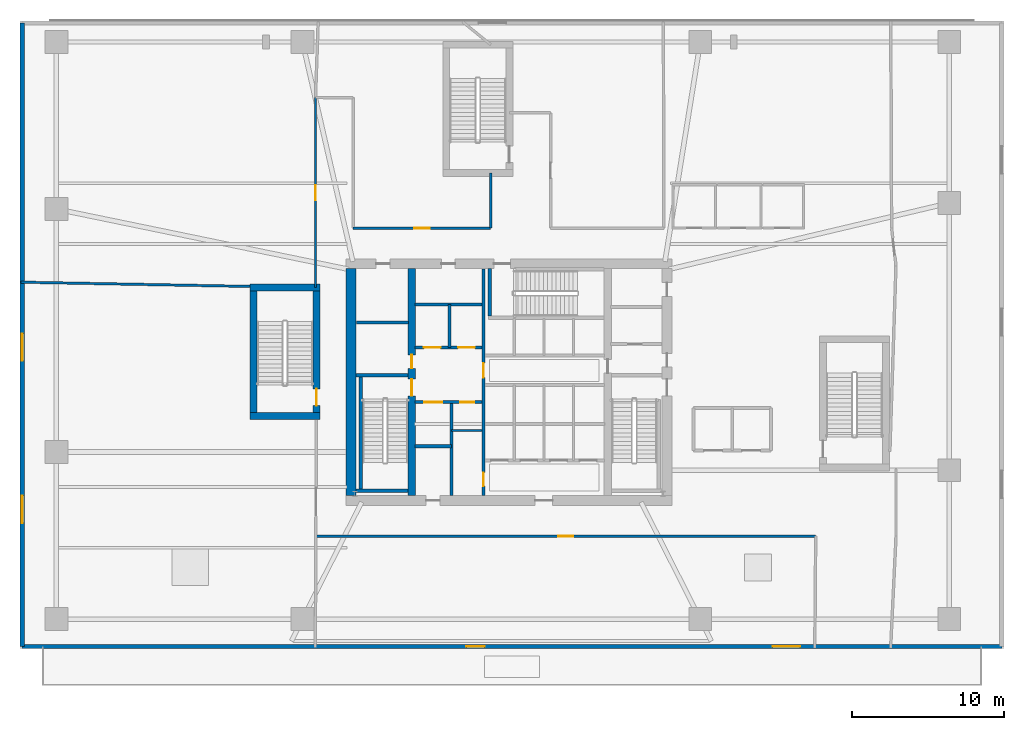
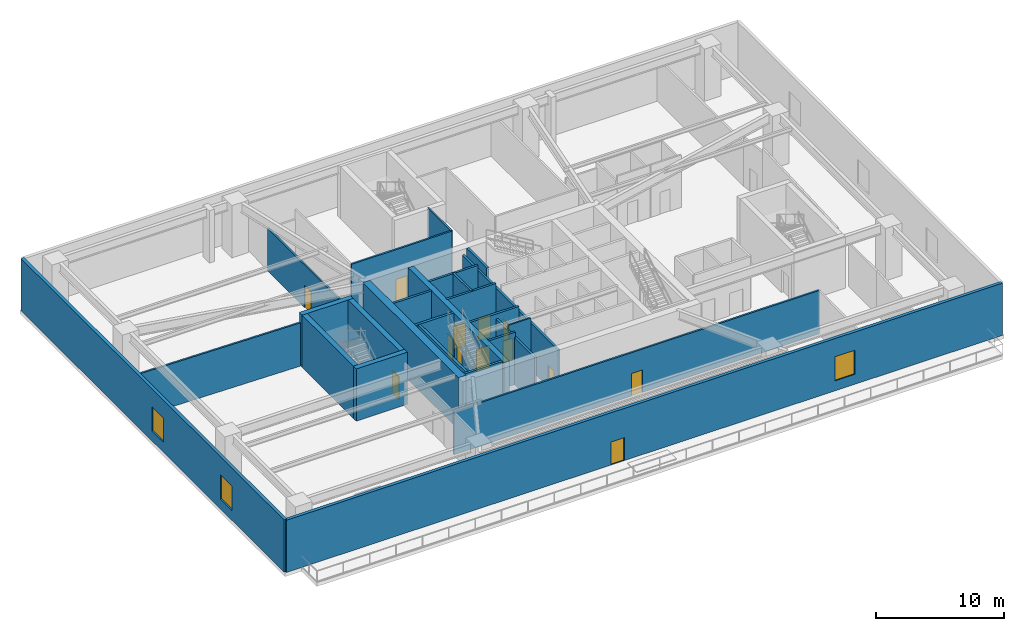
# One storey, part 4 of 11: 26 walls, 13 doors, 3 windows, 16 openings.
"""IFC4 building model written with IfcOpenShell, lengths in metres."""

from ifc_helpers import new_model, si_unit, direction, frame, frame_2d, origin, place, context, subcontext, project, spatial, rectangle, extrude, material, layer, layer_set, type_object, element, fill, save


model = new_model("IFC4")

# Units and contexts
model_context = context("Model", 3, precision=1e-05, world=origin(), true_north=direction((0.0, 1.0)))
body_context = subcontext(model_context, "Body", "Model", "MODEL_VIEW")
ifc_project = project(units=[si_unit("LENGTHUNIT", "METRE"), si_unit("AREAUNIT", "SQUARE_METRE"), si_unit("VOLUMEUNIT", "CUBIC_METRE"), si_unit("PLANEANGLEUNIT", "RADIAN"), si_unit("MASSUNIT", "GRAM", prefix="KILO")], contexts=[model_context])

# Site, building, storey
site_placement = place(None, origin())
site = spatial("IfcSite", under=ifc_project, at=site_placement, CompositionType="ELEMENT")
building_placement = place(site_placement, origin())
building = spatial("IfcBuilding", under=site, at=building_placement, Name="Qarnah Convention Tower", CompositionType="ELEMENT")
storey_placement = place(building_placement, frame((0.0, 0.0, 16.199951171875)))
storey = spatial("IfcBuildingStorey", under=building, at=storey_placement, Name="L03", CompositionType="ELEMENT", Elevation=16.199951171875)

# Wall
ifc_material_1 = material(Name="Concrete C60/75", Category="concrete")
ifc_layer_1 = layer(ifc_material_1, 0.64990234375)
ifc_layer_set_1 = layer_set([ifc_layer_1], Name="Concrete C60/75")
wall_type_1 = type_object("IfcWallType", Name="WL-CORE-650", PredefinedType="SHEAR", material=ifc_layer_set_1)
wall_1_placement = place(storey_placement, frame((26.800048828125, 18.925048828125, 0.0), z_axis=(0.0, 0.0, 1.0), x_axis=(0.0, 1.0, 0.0)))
element("IfcWall", 1, at=wall_1_placement, inside=storey, type_object=wall_type_1, Name="L03 core west shear wall", PredefinedType="SHEAR", context=body_context, shape_type="SweptSolid", body=[
    extrude(rectangle(XDim=14.949951171875, YDim=0.64990234375, at=frame_2d((7.47509765625, 0.0))), origin(), (0.0, 0.0, 1.0), 4.97998046875),
])

# Wall, openings, doors
ifc_layer_2 = layer(ifc_material_1, 0.5)
ifc_layer_set_2 = layer_set([ifc_layer_2], Name="Concrete C60/75")
wall_type_2 = type_object("IfcWallType", Name="WL-CORE-INT-400", PredefinedType="SHEAR", material=ifc_layer_set_2)
wall_2_placement = place(storey_placement, frame((30.800048828125, 18.925048828125, 0.0), z_axis=(0.0, 0.0, 1.0), x_axis=(0.0, 1.0, 0.0)))
wall_2 = element("IfcWall", 2, at=wall_2_placement, inside=storey, type_object=wall_type_2, Name="L03 core west spine shear wall", PredefinedType="SHEAR", context=body_context, shape_type="SweptSolid", body=[
    extrude(rectangle(XDim=14.949951171875, YDim=0.5, at=frame_2d((7.47509765625, 0.0))), origin(), (0.0, 0.0, 1.0), 4.97998046875),
])
opening_1_placement = place(wall_2_placement, frame((6.574951171875, 0.0, 0.0)))
opening_1 = element("IfcOpeningElement", 3, at=opening_1_placement, cuts=wall_2, Name="Opening D-0301", PredefinedType="OPENING", context=body_context, shape_type="SweptSolid", body=[
    extrude(rectangle(XDim=1.10009765625, YDim=2.14990234375, at=frame_2d((0.550048828125, 1.074951171875))), frame((0.0, 0.260009765625, 0.0), z_axis=(0.0, -1.0, 0.0), x_axis=(1.0, 0.0, 0.0)), (0.0, 0.0, 1.0), 0.52001953125),
])
opening_2_placement = place(wall_2_placement, frame((8.375, 0.0, 0.0)))
opening_2 = element("IfcOpeningElement", 4, at=opening_2_placement, cuts=wall_2, Name="Opening D-0308", PredefinedType="OPENING", context=body_context, shape_type="SweptSolid", body=[
    extrude(rectangle(XDim=0.89990234375, YDim=2.10009765625, at=frame_2d((0.449951171875, 1.050048828125))), frame((0.0, 0.260009765625, 0.0), z_axis=(0.0, -1.0, 0.0), x_axis=(1.0, 0.0, 0.0)), (0.0, 0.0, 1.0), 0.52001953125),
])
ifc_material_2 = material(Name="Structural steel S355JR", Category="steel")
door_type_1 = type_object("IfcDoorType", Name="DT-RISER-900", OperationType="NOTDEFINED", PredefinedType="DOOR", material=ifc_material_2)
door_1_placement = place(opening_2_placement, origin())
door_1 = element("IfcDoor", 5, at=door_1_placement, inside=storey, type_object=door_type_1, Name="Door D-0308", OperationType="SINGLE_SWING_LEFT", OverallHeight=2.10009765625, OverallWidth=0.89990234375, PredefinedType="DOOR", context=body_context, shape_type="SweptSolid", body=[
    extrude(rectangle(XDim=0.89990234375, YDim=2.10009765625, at=frame_2d((0.449951171875, 1.050048828125))), frame((0.0, 0.02490234375, 0.0), z_axis=(0.0, -1.0, 0.0), x_axis=(1.0, 0.0, 0.0)), (0.0, 0.0, 1.0), 0.050048828125),
])
fill(opening_2, door_1)
door_type_2 = type_object("IfcDoorType", Name="DT-STAIR-1100", OperationType="NOTDEFINED", PredefinedType="DOOR", material=ifc_material_2)
door_2_placement = place(opening_1_placement, origin())
door_2 = element("IfcDoor", 6, at=door_2_placement, inside=storey, type_object=door_type_2, Name="Door D-0301", OperationType="SINGLE_SWING_RIGHT", OverallHeight=2.14990234375, OverallWidth=1.10009765625, PredefinedType="DOOR", context=body_context, shape_type="SweptSolid", body=[
    extrude(rectangle(XDim=1.10009765625, YDim=2.14990234375, at=frame_2d((0.550048828125, 1.074951171875))), frame((0.0, 0.02490234375, 0.0), z_axis=(0.0, -1.0, 0.0), x_axis=(1.0, 0.0, 0.0)), (0.0, 0.0, 1.0), 0.050048828125),
])
fill(opening_1, door_2)

# Wall
ifc_material_3 = material(Name="Concrete C45/55", Category="concrete")
ifc_layer_3 = layer(ifc_material_3, 0.199951171875)
ifc_layer_set_3 = layer_set([ifc_layer_3], Name="Concrete C45/55")
wall_type_3 = type_object("IfcWallType", Name="WL-CORE-PART-200", PredefinedType="SOLIDWALL", material=ifc_layer_set_3)
wall_3_placement = place(storey_placement, frame((27.14990234375, 30.320068359375, 0.0), z_axis=(0.0, 0.0, 1.0), x_axis=(1.0, 0.0, 0.0)))
element("IfcWall", 7, at=wall_3_placement, inside=storey, type_object=wall_type_3, Name="L03 interior wall IW-L03-ELRN", PredefinedType="SOLIDWALL", context=body_context, shape_type="SweptSolid", body=[
    extrude(rectangle(XDim=3.4501953125, YDim=0.199951171875, at=frame_2d((1.72509765625, 0.0))), origin(), (0.0, 0.0, 1.0), 4.97998046875),
])

# Wall, openings, doors
wall_4_placement = place(storey_placement, frame((35.52001953125, 18.949951171875, 0.0), z_axis=(0.0, 0.0, 1.0), x_axis=(0.0, 1.0, 0.0)))
wall_4 = element("IfcWall", 8, at=wall_4_placement, inside=storey, type_object=wall_type_3, Name="L03 interior wall IW-L03-CSP", PredefinedType="SOLIDWALL", context=body_context, shape_type="SweptSolid", body=[
    extrude(rectangle(XDim=14.900146484375, YDim=0.199951171875, at=frame_2d((7.4501953125, 0.0))), origin(), (0.0, 0.0, 1.0), 4.5009765625),
])
opening_3_placement = place(wall_4_placement, frame((7.7548828125, 0.0, 0.0)))
opening_3 = element("IfcOpeningElement", 9, at=opening_3_placement, cuts=wall_4, Name="Opening D-0304", PredefinedType="OPENING", context=body_context, shape_type="SweptSolid", body=[
    extrude(rectangle(XDim=0.949951171875, YDim=2.14990234375, at=frame_2d((0.47509765625, 1.074951171875))), frame((0.0, 0.10986328125, 0.0), z_axis=(0.0, -1.0, 0.0), x_axis=(1.0, 0.0, 0.0)), (0.0, 0.0, 1.0), 0.219970703125),
])
opening_4_placement = place(wall_4_placement, frame((0.60009765625, 0.0, 0.0)))
opening_4 = element("IfcOpeningElement", 10, at=opening_4_placement, cuts=wall_4, Name="Opening D-0314", PredefinedType="OPENING", context=body_context, shape_type="SweptSolid", body=[
    extrude(rectangle(XDim=0.89990234375, YDim=2.10009765625, at=frame_2d((0.449951171875, 1.050048828125))), frame((0.0, 0.10986328125, 0.0), z_axis=(0.0, -1.0, 0.0), x_axis=(1.0, 0.0, 0.0)), (0.0, 0.0, 1.0), 0.219970703125),
])
ifc_material_4 = material(Name="Oak timber veneer", Category="wood")
door_type_3 = type_object("IfcDoorType", Name="DT-HOTEL-950", OperationType="NOTDEFINED", PredefinedType="DOOR", material=ifc_material_4)
door_3_placement = place(opening_3_placement, origin())
door_3 = element("IfcDoor", 11, at=door_3_placement, inside=storey, type_object=door_type_3, Name="Door D-0304", OperationType="SINGLE_SWING_LEFT", OverallHeight=2.14990234375, OverallWidth=0.949951171875, PredefinedType="DOOR", context=body_context, shape_type="SweptSolid", body=[
    extrude(rectangle(XDim=0.949951171875, YDim=2.14990234375, at=frame_2d((0.47509765625, 1.074951171875))), frame((0.0, 0.02490234375, 0.0), z_axis=(0.0, -1.0, 0.0), x_axis=(1.0, 0.0, 0.0)), (0.0, 0.0, 1.0), 0.050048828125),
])
fill(opening_3, door_3)
door_4_placement = place(opening_4_placement, origin())
door_4 = element("IfcDoor", 12, at=door_4_placement, inside=storey, type_object=door_type_1, Name="Door D-0314", OperationType="SINGLE_SWING_LEFT", OverallHeight=2.10009765625, OverallWidth=0.89990234375, PredefinedType="DOOR", context=body_context, shape_type="SweptSolid", body=[
    extrude(rectangle(XDim=0.89990234375, YDim=2.10009765625, at=frame_2d((0.449951171875, 1.050048828125))), frame((0.0, 0.02490234375, 0.0), z_axis=(0.0, -1.0, 0.0), x_axis=(1.0, 0.0, 0.0)), (0.0, 0.0, 1.0), 0.050048828125),
])
fill(opening_4, door_4)

wall_5_placement = place(storey_placement, frame((31.0, 28.679931640625, 0.0), z_axis=(0.0, 0.0, 1.0), x_axis=(1.0, 0.0, 0.0)))
wall_5 = element("IfcWall", 13, at=wall_5_placement, inside=storey, type_object=wall_type_3, Name="L03 interior wall IW-L03-FFLS", PredefinedType="SOLIDWALL", context=body_context, shape_type="SweptSolid", body=[
    extrude(rectangle(XDim=4.419921875, YDim=0.199951171875, at=frame_2d((2.2099609375, 0.0))), origin(), (0.0, 0.0, 1.0), 4.97998046875),
])
opening_5_placement = place(wall_5_placement, frame((0.60009765625, 0.0, 0.0)))
opening_5 = element("IfcOpeningElement", 14, at=opening_5_placement, cuts=wall_5, Name="Opening LD-0301", PredefinedType="OPENING", context=body_context, shape_type="SweptSolid", body=[
    extrude(rectangle(XDim=1.10009765625, YDim=2.14990234375, at=frame_2d((0.550048828125, 1.074951171875))), frame((0.0, 0.10986328125, 0.0), z_axis=(0.0, -1.0, 0.0), x_axis=(1.0, 0.0, 0.0)), (0.0, 0.0, 1.0), 0.219970703125),
])
opening_6_placement = place(wall_5_placement, frame((2.85009765625, 0.0, 0.0)))
opening_6 = element("IfcOpeningElement", 15, at=opening_6_placement, cuts=wall_5, Name="Opening LD-0302", PredefinedType="OPENING", context=body_context, shape_type="SweptSolid", body=[
    extrude(rectangle(XDim=1.10009765625, YDim=2.14990234375, at=frame_2d((0.550048828125, 1.074951171875))), frame((0.0, 0.10986328125, 0.0), z_axis=(0.0, -1.0, 0.0), x_axis=(1.0, 0.0, 0.0)), (0.0, 0.0, 1.0), 0.219970703125),
])
door_type_4 = type_object("IfcDoorType", Name="DT-LIFT-1100", OperationType="SLIDING_TO_LEFT", PredefinedType="DOOR", material=ifc_material_2)
door_5_placement = place(opening_5_placement, origin())
door_5 = element("IfcDoor", 16, at=door_5_placement, inside=storey, type_object=door_type_4, Name="Door LD-0301", OperationType="SLIDING_TO_LEFT", OverallHeight=2.14990234375, OverallWidth=1.10009765625, PredefinedType="DOOR", context=body_context, shape_type="SweptSolid", body=[
    extrude(rectangle(XDim=1.10009765625, YDim=2.14990234375, at=frame_2d((0.550048828125, 1.074951171875))), frame((0.0, 0.02490234375, 0.0), z_axis=(0.0, -1.0, 0.0), x_axis=(1.0, 0.0, 0.0)), (0.0, 0.0, 1.0), 0.050048828125),
])
fill(opening_5, door_5)
door_6_placement = place(opening_6_placement, origin())
door_6 = element("IfcDoor", 17, at=door_6_placement, inside=storey, type_object=door_type_4, Name="Door LD-0302", OperationType="SLIDING_TO_LEFT", OverallHeight=2.14990234375, OverallWidth=1.10009765625, PredefinedType="DOOR", context=body_context, shape_type="SweptSolid", body=[
    extrude(rectangle(XDim=1.10009765625, YDim=2.14990234375, at=frame_2d((0.550048828125, 1.074951171875))), frame((0.0, 0.02490234375, 0.0), z_axis=(0.0, -1.0, 0.0), x_axis=(1.0, 0.0, 0.0)), (0.0, 0.0, 1.0), 0.050048828125),
])
fill(opening_6, door_6)

# Walls
wall_6_placement = place(storey_placement, frame((31.0, 31.5, 0.0), z_axis=(0.0, 0.0, 1.0), x_axis=(1.0, 0.0, 0.0)))
element("IfcWall", 18, at=wall_6_placement, inside=storey, type_object=wall_type_3, Name="L03 interior wall IW-L03-FFLN", PredefinedType="SOLIDWALL", context=body_context, shape_type="SweptSolid", body=[
    extrude(rectangle(XDim=4.419921875, YDim=0.199951171875, at=frame_2d((2.2099609375, 0.0))), origin(), (0.0, 0.0, 1.0), 4.97998046875),
])
wall_7_placement = place(storey_placement, frame((33.280029296875, 28.679931640625, 0.0), z_axis=(0.0, 0.0, 1.0), x_axis=(0.0, 1.0, 0.0)))
element("IfcWall", 19, at=wall_7_placement, inside=storey, type_object=wall_type_3, Name="L03 interior wall IW-L03-FFLM", PredefinedType="SOLIDWALL", context=body_context, shape_type="SweptSolid", body=[
    extrude(rectangle(XDim=2.820068359375, YDim=0.199951171875, at=frame_2d((1.41015625, 0.0))), origin(), (0.0, 0.0, 1.0), 4.97998046875),
])

# Wall, openings, doors
wall_8_placement = place(storey_placement, frame((31.0, 25.080078125, 0.0), z_axis=(0.0, 0.0, 1.0), x_axis=(1.0, 0.0, 0.0)))
wall_8 = element("IfcWall", 20, at=wall_8_placement, inside=storey, type_object=wall_type_3, Name="L03 interior wall IW-L03-FFLBS", PredefinedType="SOLIDWALL", context=body_context, shape_type="SweptSolid", body=[
    extrude(rectangle(XDim=4.419921875, YDim=0.199951171875, at=frame_2d((2.2099609375, 0.0))), origin(), (0.0, 0.0, 1.0), 4.97998046875),
])
opening_7_placement = place(wall_8_placement, frame((3.0, 0.0, 0.0)))
opening_7 = element("IfcOpeningElement", 21, at=opening_7_placement, cuts=wall_8, Name="Opening D-0315", PredefinedType="OPENING", context=body_context, shape_type="SweptSolid", body=[
    extrude(rectangle(XDim=0.89990234375, YDim=2.10009765625, at=frame_2d((0.449951171875, 1.050048828125))), frame((0.0, 0.10986328125, 0.0), z_axis=(0.0, -1.0, 0.0), x_axis=(1.0, 0.0, 0.0)), (0.0, 0.0, 1.0), 0.219970703125),
])
opening_8_placement = place(wall_8_placement, frame((0.6201171875, 0.0, 0.0)))
opening_8 = element("IfcOpeningElement", 22, at=opening_8_placement, cuts=wall_8, Name="Opening LD-0303", PredefinedType="OPENING", context=body_context, shape_type="SweptSolid", body=[
    extrude(rectangle(XDim=1.199951171875, YDim=2.14990234375, at=frame_2d((0.60009765625, 1.074951171875))), frame((0.0, 0.10986328125, 0.0), z_axis=(0.0, -1.0, 0.0), x_axis=(1.0, 0.0, 0.0)), (0.0, 0.0, 1.0), 0.219970703125),
])
door_type_5 = type_object("IfcDoorType", Name="DT-LIFT-1200", OperationType="SLIDING_TO_LEFT", PredefinedType="DOOR", material=ifc_material_2)
door_7_placement = place(opening_8_placement, origin())
door_7 = element("IfcDoor", 23, at=door_7_placement, inside=storey, type_object=door_type_5, Name="Door LD-0303", OperationType="SLIDING_TO_LEFT", OverallHeight=2.14990234375, OverallWidth=1.199951171875, PredefinedType="DOOR", context=body_context, shape_type="SweptSolid", body=[
    extrude(rectangle(XDim=1.199951171875, YDim=2.14990234375, at=frame_2d((0.60009765625, 1.074951171875))), frame((0.0, 0.02490234375, 0.0), z_axis=(0.0, -1.0, 0.0), x_axis=(1.0, 0.0, 0.0)), (0.0, 0.0, 1.0), 0.050048828125),
])
fill(opening_8, door_7)
door_8_placement = place(opening_7_placement, origin())
door_8 = element("IfcDoor", 24, at=door_8_placement, inside=storey, type_object=door_type_1, Name="Door D-0315", OperationType="SINGLE_SWING_RIGHT", OverallHeight=2.10009765625, OverallWidth=0.89990234375, PredefinedType="DOOR", context=body_context, shape_type="SweptSolid", body=[
    extrude(rectangle(XDim=0.89990234375, YDim=2.10009765625, at=frame_2d((0.449951171875, 1.050048828125))), frame((0.0, 0.02490234375, 0.0), z_axis=(0.0, -1.0, 0.0), x_axis=(1.0, 0.0, 0.0)), (0.0, 0.0, 1.0), 0.050048828125),
])
fill(opening_7, door_8)

# Walls
wall_9_placement = place(storey_placement, frame((33.419921875, 18.949951171875, 0.0), z_axis=(0.0, 0.0, 1.0), x_axis=(0.0, 1.0, 0.0)))
element("IfcWall", 25, at=wall_9_placement, inside=storey, type_object=wall_type_3, Name="L03 interior wall IW-L03-SVLE", PredefinedType="SOLIDWALL", context=body_context, shape_type="SweptSolid", body=[
    extrude(rectangle(XDim=6.130126953125, YDim=0.199951171875, at=frame_2d((3.06494140625, 0.0))), origin(), (0.0, 0.0, 1.0), 4.5009765625),
])
wall_10_placement = place(storey_placement, frame((31.0, 22.179931640625, 0.0), z_axis=(0.0, 0.0, 1.0), x_axis=(1.0, 0.0, 0.0)))
element("IfcWall", 26, at=wall_10_placement, inside=storey, type_object=wall_type_3, Name="L03 interior wall IW-L03-SVLS", PredefinedType="SOLIDWALL", context=body_context, shape_type="SweptSolid", body=[
    extrude(rectangle(XDim=2.419921875, YDim=0.199951171875, at=frame_2d((1.2099609375, 0.0))), origin(), (0.0, 0.0, 1.0), 4.97998046875),
])
ifc_layer_4 = layer(ifc_material_1, 0.219970703125)
ifc_layer_set_4 = layer_set([ifc_layer_4], Name="Concrete C60/75")
wall_type_4 = type_object("IfcWallType", Name="WL-CORE-STAIR-220", PredefinedType="SHEAR", material=ifc_layer_set_4)
wall_11_placement = place(storey_placement, frame((27.125, 26.860107421875, 0.0), z_axis=(0.0, 0.0, 1.0), x_axis=(1.0, 0.0, 0.0)))
element("IfcWall", 27, at=wall_11_placement, inside=storey, type_object=wall_type_4, Name="L03 stair shaft shear wall SW-L03-ST1N", PredefinedType="SHEAR", context=body_context, shape_type="SweptSolid", body=[
    extrude(rectangle(XDim=3.425048828125, YDim=0.219970703125, at=frame_2d((1.71240234375, 0.0))), origin(), (0.0, 0.0, 1.0), 4.97998046875),
])
wall_12_placement = place(storey_placement, frame((27.43994140625, 19.35009765625, 0.0), z_axis=(0.0, 0.0, 1.0), x_axis=(0.0, 1.0, 0.0)))
element("IfcWall", 28, at=wall_12_placement, inside=storey, type_object=wall_type_4, Name="L03 stair shaft shear wall SW-L03-ST1W", PredefinedType="SHEAR", context=body_context, shape_type="SweptSolid", body=[
    extrude(rectangle(XDim=7.39990234375, YDim=0.219970703125, at=frame_2d((3.699951171875, 0.0))), origin(), (0.0, 0.0, 1.0), 4.97998046875),
])
wall_13_placement = place(storey_placement, frame((27.125, 19.239990234375, 0.0), z_axis=(0.0, 0.0, 1.0), x_axis=(1.0, 0.0, 0.0)))
element("IfcWall", 29, at=wall_13_placement, inside=storey, type_object=wall_type_4, Name="L03 stair shaft shear wall SW-L03-ST1S", PredefinedType="SHEAR", context=body_context, shape_type="SweptSolid", body=[
    extrude(rectangle(XDim=3.425048828125, YDim=0.219970703125, at=frame_2d((1.71240234375, 0.0))), origin(), (0.0, 0.0, 1.0), 4.97998046875),
])
wall_14_placement = place(storey_placement, frame((35.93994140625, 30.75, 0.0), z_axis=(0.0, 0.0, 1.0), x_axis=(0.0, 1.0, 0.0)))
element("IfcWall", 30, at=wall_14_placement, inside=storey, type_object=wall_type_4, Name="L03 stair shaft shear wall SW-L03-ST3W", PredefinedType="SHEAR", context=body_context, shape_type="SweptSolid", body=[
    extrude(rectangle(XDim=3.125, YDim=0.219970703125, at=frame_2d((1.5625, 0.0))), origin(), (0.0, 0.0, 1.0), 4.97998046875),
])
ifc_material_5 = material(Name="Gypsum partition board")
ifc_layer_5 = layer(ifc_material_5, 0.159912109375)
ifc_layer_set_5 = layer_set([ifc_layer_5], Name="Gypsum partition board")
wall_type_5 = type_object("IfcWallType", Name="WL-CORR-160", PredefinedType="PARTITIONING", material=ifc_layer_set_5)
wall_15_placement = place(storey_placement, frame((20.14990234375, 32.7041015625, 0.0), z_axis=(0.0, 0.0, 1.0), x_axis=(-0.999827748064, 0.018560016187, 0.0)))
element("IfcWall", 31, at=wall_15_placement, inside=storey, type_object=wall_type_5, Name="L03 interior wall IW-L03-R-12", PredefinedType="PARTITIONING", context=body_context, shape_type="SweptSolid", body=[
    extrude(rectangle(XDim=15.07470703125, YDim=0.159912109375, at=frame_2d((7.537353515625, 0.0))), origin(), (0.0, 0.0, 1.0), 4.12109375),
])

# Wall, opening, door
wall_16_placement = place(storey_placement, frame((24.4599609375, 32.625, 0.0), z_axis=(0.0, 0.0, 1.0), x_axis=(0.0, 1.0, 0.0)))
wall_16 = element("IfcWall", 32, at=wall_16_placement, inside=storey, type_object=wall_type_5, Name="L03 interior wall IW-L03-R-13", PredefinedType="PARTITIONING", context=body_context, shape_type="SweptSolid", body=[
    extrude(rectangle(XDim=12.514892578125, YDim=0.159912109375, at=frame_2d((6.25732421875, 0.0))), origin(), (0.0, 0.0, 1.0), 4.06494140625),
])
opening_9_placement = place(wall_16_placement, frame((5.758056640625, 0.0, 0.0)))
opening_9 = element("IfcOpeningElement", 33, at=opening_9_placement, cuts=wall_16, Name="Opening D-0323", PredefinedType="OPENING", context=body_context, shape_type="SweptSolid", body=[
    extrude(rectangle(XDim=1.0, YDim=2.14990234375, at=frame_2d((0.5, 1.074951171875))), frame((0.0, 0.08984375, 0.0), z_axis=(0.0, -1.0, 0.0), x_axis=(1.0, 0.0, 0.0)), (0.0, 0.0, 1.0), 0.179931640625),
])
door_type_6 = type_object("IfcDoorType", Name="DT-OFFICE-1000", OperationType="NOTDEFINED", PredefinedType="DOOR", material=ifc_material_4)
door_9_placement = place(opening_9_placement, origin())
door_9 = element("IfcDoor", 34, at=door_9_placement, inside=storey, type_object=door_type_6, Name="Door D-0323", OperationType="SINGLE_SWING_LEFT", OverallHeight=2.14990234375, OverallWidth=1.0, PredefinedType="DOOR", context=body_context, shape_type="SweptSolid", body=[
    extrude(rectangle(XDim=1.0, YDim=2.14990234375, at=frame_2d((0.5, 1.074951171875))), frame((0.0, 0.02490234375, 0.0), z_axis=(0.0, -1.0, 0.0), x_axis=(1.0, 0.0, 0.0)), (0.0, 0.0, 1.0), 0.050048828125),
])
fill(opening_9, door_9)

wall_17_placement = place(storey_placement, frame((57.39990234375, 16.260009765625, 0.0), z_axis=(0.0, 0.0, 1.0), x_axis=(-0.99999999956, 2.9668308e-05, 0.0)))
wall_17 = element("IfcWall", 35, at=wall_17_placement, inside=storey, type_object=wall_type_5, Name="L03 interior wall IW-L03-R-16", PredefinedType="PARTITIONING", context=body_context, shape_type="SweptSolid", body=[
    extrude(rectangle(XDim=32.916015625, YDim=0.159912109375, at=frame_2d((16.4580078125, 0.0))), origin(), (0.0, 0.0, 1.0), 4.133056640625),
])
opening_10_placement = place(wall_17_placement, frame((15.9580078125, 0.0, 0.0)))
opening_10 = element("IfcOpeningElement", 36, at=opening_10_placement, cuts=wall_17, Name="Opening D-0324", PredefinedType="OPENING", context=body_context, shape_type="SweptSolid", body=[
    extrude(rectangle(XDim=1.0, YDim=2.14990234375, at=frame_2d((0.5, 1.074951171875))), frame((0.0, 0.08984375, 0.0), z_axis=(0.0, -1.0, 0.0), x_axis=(1.0, 0.0, 0.0)), (0.0, 0.0, 1.0), 0.179931640625),
])
door_10_placement = place(opening_10_placement, origin())
door_10 = element("IfcDoor", 37, at=door_10_placement, inside=storey, type_object=door_type_6, Name="Door D-0324", OperationType="SINGLE_SWING_RIGHT", OverallHeight=2.14990234375, OverallWidth=1.0, PredefinedType="DOOR", context=body_context, shape_type="SweptSolid", body=[
    extrude(rectangle(XDim=1.0, YDim=2.14990234375, at=frame_2d((0.5, 1.074951171875))), frame((0.0, 0.02490234375, 0.0), z_axis=(0.0, -1.0, 0.0), x_axis=(1.0, 0.0, 0.0)), (0.0, 0.0, 1.0), 0.050048828125),
])
fill(opening_10, door_10)

wall_18_placement = place(storey_placement, frame((26.93994140625, 36.5400390625, 0.0), z_axis=(0.0, 0.0, 1.0), x_axis=(1.0, 0.0, 0.0)))
wall_18 = element("IfcWall", 38, at=wall_18_placement, inside=storey, type_object=wall_type_5, Name="L03 interior wall IW-L03-R-19", PredefinedType="PARTITIONING", context=body_context, shape_type="SweptSolid", body=[
    extrude(rectangle(XDim=9.06005859375, YDim=0.159912109375, at=frame_2d((4.530029296875, 0.0))), origin(), (0.0, 0.0, 1.0), 4.97998046875),
])
opening_11_placement = place(wall_18_placement, frame((4.030029296875, 0.0, 0.0)))
opening_11 = element("IfcOpeningElement", 39, at=opening_11_placement, cuts=wall_18, Name="Opening D-0325", PredefinedType="OPENING", context=body_context, shape_type="SweptSolid", body=[
    extrude(rectangle(XDim=1.0, YDim=2.14990234375, at=frame_2d((0.5, 1.074951171875))), frame((0.0, 0.08984375, 0.0), z_axis=(0.0, -1.0, 0.0), x_axis=(1.0, 0.0, 0.0)), (0.0, 0.0, 1.0), 0.179931640625),
])
door_11_placement = place(opening_11_placement, origin())
door_11 = element("IfcDoor", 40, at=door_11_placement, inside=storey, type_object=door_type_6, Name="Door D-0325", OperationType="SINGLE_SWING_LEFT", OverallHeight=2.14990234375, OverallWidth=1.0, PredefinedType="DOOR", context=body_context, shape_type="SweptSolid", body=[
    extrude(rectangle(XDim=1.0, YDim=2.14990234375, at=frame_2d((0.5, 1.074951171875))), frame((0.0, 0.02490234375, 0.0), z_axis=(0.0, -1.0, 0.0), x_axis=(1.0, 0.0, 0.0)), (0.0, 0.0, 1.0), 0.050048828125),
])
fill(opening_11, door_11)

# Wall
wall_19_placement = place(storey_placement, frame((36.0, 36.5400390625, 0.0), z_axis=(0.0, 0.0, 1.0), x_axis=(0.0, 1.0, 0.0)))
element("IfcWall", 41, at=wall_19_placement, inside=storey, type_object=wall_type_5, Name="L03 interior wall IW-L03-R-20", PredefinedType="PARTITIONING", context=body_context, shape_type="SweptSolid", body=[
    extrude(rectangle(XDim=3.635009765625, YDim=0.159912109375, at=frame_2d((1.8173828125, 0.0))), origin(), (0.0, 0.0, 1.0), 4.97998046875),
])

# Wall, openings, door, window
ifc_material_6 = material(Name="Precast concrete C45/55", Category="concrete")
ifc_layer_6 = layer(ifc_material_6, 0.280029296875)
ifc_layer_set_6 = layer_set([ifc_layer_6], Name="Precast concrete C45/55")
wall_type_6 = type_object("IfcWallType", Name="WL-EXT-POD-280", PredefinedType="SOLIDWALL", material=ifc_layer_set_6)
wall_20_placement = place(storey_placement, frame((69.659912109375, 8.989990234375, 0.0), z_axis=(0.0, 0.0, 1.0), x_axis=(-1.0, 0.0, 0.0)))
wall_20 = element("IfcWall", 42, at=wall_20_placement, inside=storey, type_object=wall_type_6, Name="L03 precast facade wall S", PredefinedType="SOLIDWALL", context=body_context, shape_type="SweptSolid", body=[
    extrude(rectangle(XDim=64.52001953125, YDim=0.280029296875, at=frame_2d((32.260009765625, 0.0))), origin(), (0.0, 0.0, 1.0), 4.97998046875),
])
opening_12_placement = place(wall_20_placement, frame((13.2939453125, 0.0, 0.949951171875)))
opening_12 = element("IfcOpeningElement", 43, at=opening_12_placement, cuts=wall_20, Name="Opening WN2", PredefinedType="OPENING", context=body_context, shape_type="SweptSolid", body=[
    extrude(rectangle(XDim=1.800048828125, YDim=2.300048828125, at=frame_2d((0.89990234375, 1.14990234375))), frame((0.0, 0.14990234375, 0.0), z_axis=(0.0, -1.0, 0.0), x_axis=(1.0, 0.0, 0.0)), (0.0, 0.0, 1.0), 0.300048828125),
])
opening_13_placement = place(wall_20_placement, frame((34.06005859375, 0.0, 0.0)))
opening_13 = element("IfcOpeningElement", 44, at=opening_13_placement, cuts=wall_20, Name="Opening TD-0301", PredefinedType="OPENING", context=body_context, shape_type="SweptSolid", body=[
    extrude(rectangle(XDim=1.199951171875, YDim=2.199951171875, at=frame_2d((0.60009765625, 1.10009765625))), frame((0.0, 0.14990234375, 0.0), z_axis=(0.0, -1.0, 0.0), x_axis=(1.0, 0.0, 0.0)), (0.0, 0.0, 1.0), 0.300048828125),
])
ifc_material_7 = material(Name="Black anodised aluminium", Category="aluminium")
door_type_7 = type_object("IfcDoorType", Name="DT-TER-1200", OperationType="NOTDEFINED", PredefinedType="DOOR", material=ifc_material_7)
door_12_placement = place(opening_13_placement, origin())
door_12 = element("IfcDoor", 45, at=door_12_placement, inside=storey, type_object=door_type_7, Name="L03 podium terrace access door", OperationType="SINGLE_SWING_LEFT", OverallHeight=2.199951171875, OverallWidth=1.199951171875, PredefinedType="DOOR", context=body_context, shape_type="SweptSolid", body=[
    extrude(rectangle(XDim=1.199951171875, YDim=2.199951171875, at=frame_2d((0.60009765625, 1.10009765625))), frame((0.0, 0.02490234375, 0.0), z_axis=(0.0, -1.0, 0.0), x_axis=(1.0, 0.0, 0.0)), (0.0, 0.0, 1.0), 0.050048828125),
])
fill(opening_13, door_12)
ifc_material_8 = material(Name="Tempered Low-E dark glass", Category="glass")
window_type = type_object("IfcWindowType", Name="WT-POD-1800X2400", PartitioningType="SINGLE_PANEL", PredefinedType="WINDOW", material=ifc_material_8)
window_1_placement = place(opening_12_placement, origin())
window_1 = element("IfcWindow", 46, at=window_1_placement, inside=storey, type_object=window_type, Name="Window WIN-L03-S1", OverallHeight=2.300048828125, OverallWidth=1.800048828125, PartitioningType="SINGLE_PANEL", PredefinedType="WINDOW", context=body_context, shape_type="SweptSolid", body=[
    extrude(rectangle(XDim=1.800048828125, YDim=2.300048828125, at=frame_2d((0.89990234375, 1.14990234375))), frame((0.0, 0.030029296875, 0.0), z_axis=(0.0, -1.0, 0.0), x_axis=(1.0, 0.0, 0.0)), (0.0, 0.0, 1.0), 0.06005859375),
])
fill(opening_12, window_1)

# Wall, openings, windows
wall_21_placement = place(storey_placement, frame((5.139892578125, 8.989990234375, 0.0), z_axis=(0.0, 0.0, 1.0), x_axis=(0.0, 1.0, 0.0)))
wall_21 = element("IfcWall", 47, at=wall_21_placement, inside=storey, type_object=wall_type_6, Name="L03 precast facade wall W", PredefinedType="SOLIDWALL", context=body_context, shape_type="SweptSolid", body=[
    extrude(rectangle(XDim=41.070068359375, YDim=0.280029296875, at=frame_2d((20.53515625, 0.0))), origin(), (0.0, 0.0, 1.0), 4.97998046875),
])
opening_14_placement = place(wall_21_placement, frame((8.135009765625, 0.0, 0.949951171875)))
opening_14 = element("IfcOpeningElement", 48, at=opening_14_placement, cuts=wall_21, Name="Opening WN2", PredefinedType="OPENING", context=body_context, shape_type="SweptSolid", body=[
    extrude(rectangle(XDim=1.800048828125, YDim=2.300048828125, at=frame_2d((0.89990234375, 1.14990234375))), frame((0.0, 0.14990234375, 0.0), z_axis=(0.0, -1.0, 0.0), x_axis=(1.0, 0.0, 0.0)), (0.0, 0.0, 1.0), 0.300048828125),
])
opening_15_placement = place(wall_21_placement, frame((18.81396484375, 0.0, 0.949951171875)))
opening_15 = element("IfcOpeningElement", 49, at=opening_15_placement, cuts=wall_21, Name="Opening WN2", PredefinedType="OPENING", context=body_context, shape_type="SweptSolid", body=[
    extrude(rectangle(XDim=1.800048828125, YDim=2.300048828125, at=frame_2d((0.89990234375, 1.14990234375))), frame((0.0, 0.14990234375, 0.0), z_axis=(0.0, -1.0, 0.0), x_axis=(1.0, 0.0, 0.0)), (0.0, 0.0, 1.0), 0.300048828125),
])
window_2_placement = place(opening_14_placement, origin())
window_2 = element("IfcWindow", 50, at=window_2_placement, inside=storey, type_object=window_type, Name="Window WIN-L03-W1", OverallHeight=2.300048828125, OverallWidth=1.800048828125, PartitioningType="SINGLE_PANEL", PredefinedType="WINDOW", context=body_context, shape_type="SweptSolid", body=[
    extrude(rectangle(XDim=1.800048828125, YDim=2.300048828125, at=frame_2d((0.89990234375, 1.14990234375))), frame((0.0, 0.030029296875, 0.0), z_axis=(0.0, -1.0, 0.0), x_axis=(1.0, 0.0, 0.0)), (0.0, 0.0, 1.0), 0.06005859375),
])
fill(opening_14, window_2)
window_3_placement = place(opening_15_placement, origin())
window_3 = element("IfcWindow", 51, at=window_3_placement, inside=storey, type_object=window_type, Name="Window WIN-L03-W2", OverallHeight=2.300048828125, OverallWidth=1.800048828125, PartitioningType="SINGLE_PANEL", PredefinedType="WINDOW", context=body_context, shape_type="SweptSolid", body=[
    extrude(rectangle(XDim=1.800048828125, YDim=2.300048828125, at=frame_2d((0.89990234375, 1.14990234375))), frame((0.0, 0.030029296875, 0.0), z_axis=(0.0, -1.0, 0.0), x_axis=(1.0, 0.0, 0.0)), (0.0, 0.0, 1.0), 0.06005859375),
])
fill(opening_15, window_3)

# Walls
ifc_layer_7 = layer(ifc_material_1, 0.449951171875)
ifc_layer_set_7 = layer_set([ifc_layer_7], Name="Concrete C60/75")
wall_type_7 = type_object("IfcWallType", Name="WL-POD-CORE-450", PredefinedType="SHEAR", material=ifc_layer_set_7)
for number, where, z_axis, x_axis, name in (
    (52, (20.14990234375, 24.175048828125, 0.0), (0.0, 0.0, 1.0), (1.0, 0.0, 0.0), "L03 podium stair ST-5 south wall"),
    (53, (20.14990234375, 32.625, 0.0), (0.0, 0.0, 1.0), (1.0, 0.0, 0.0), "L03 podium stair ST-5 north wall"),
):
    element("IfcWall", number, at=place(storey_placement, frame(where, z_axis=z_axis, x_axis=x_axis)), inside=storey, type_object=wall_type_7, Name=name, PredefinedType="SHEAR", context=body_context, shape_type="SweptSolid", body=[
        extrude(rectangle(XDim=4.60009765625, YDim=0.449951171875, at=frame_2d((2.300048828125, 0.0))), origin(), (0.0, 0.0, 1.0), 4.97998046875),
    ])
wall_22_placement = place(storey_placement, frame((20.375, 24.39990234375, 0.0), z_axis=(0.0, 0.0, 1.0), x_axis=(0.0, 1.0, 0.0)))
element("IfcWall", 54, at=wall_22_placement, inside=storey, type_object=wall_type_7, Name="L03 podium stair ST-5 west wall", PredefinedType="SHEAR", context=body_context, shape_type="SweptSolid", body=[
    extrude(rectangle(XDim=8.0, YDim=0.449951171875, at=frame_2d((4.0, 0.0))), origin(), (0.0, 0.0, 1.0), 4.97998046875),
])

# Wall, opening, door
wall_23_placement = place(storey_placement, frame((24.52490234375, 24.39990234375, 0.0), z_axis=(0.0, 0.0, 1.0), x_axis=(0.0, 1.0, 0.0)))
wall_23 = element("IfcWall", 55, at=wall_23_placement, inside=storey, type_object=wall_type_7, Name="L03 podium stair ST-5 east wall", PredefinedType="SHEAR", context=body_context, shape_type="SweptSolid", body=[
    extrude(rectangle(XDim=8.0, YDim=0.449951171875, at=frame_2d((4.0, 0.0))), origin(), (0.0, 0.0, 1.0), 4.97998046875),
])
opening_16_placement = place(wall_23_placement, frame((0.449951171875, 0.0, 0.0)))
opening_16 = element("IfcOpeningElement", 56, at=opening_16_placement, cuts=wall_23, Name="Opening D-0317", PredefinedType="OPENING", context=body_context, shape_type="SweptSolid", body=[
    extrude(rectangle(XDim=1.10009765625, YDim=2.14990234375, at=frame_2d((0.550048828125, 1.074951171875))), frame((0.0, 0.23486328125, 0.0), z_axis=(0.0, -1.0, 0.0), x_axis=(1.0, 0.0, 0.0)), (0.0, 0.0, 1.0), 0.469970703125),
])
door_13_placement = place(opening_16_placement, origin())
door_13 = element("IfcDoor", 57, at=door_13_placement, inside=storey, type_object=door_type_2, Name="Door D-0317", OperationType="SINGLE_SWING_RIGHT", OverallHeight=2.14990234375, OverallWidth=1.10009765625, PredefinedType="DOOR", context=body_context, shape_type="SweptSolid", body=[
    extrude(rectangle(XDim=1.10009765625, YDim=2.14990234375, at=frame_2d((0.550048828125, 1.074951171875))), frame((0.0, 0.02490234375, 0.0), z_axis=(0.0, -1.0, 0.0), x_axis=(1.0, 0.0, 0.0)), (0.0, 0.0, 1.0), 0.050048828125),
])
fill(opening_16, door_13)

# Wall
ifc_layer_8 = layer(ifc_material_5, 0.14990234375)
ifc_layer_set_8 = layer_set([ifc_layer_8], Name="Gypsum partition board")
wall_type_8 = type_object("IfcWallType", Name="WL-SUITE-150", PredefinedType="PARTITIONING", material=ifc_layer_set_8)
wall_24_placement = place(storey_placement, frame((33.419921875, 23.219970703125, 0.0), z_axis=(0.0, 0.0, 1.0), x_axis=(1.0, 0.0, 0.0)))
element("IfcWall", 58, at=wall_24_placement, inside=storey, type_object=wall_type_8, Name="L03 interior wall IW-L03-CSV1", PredefinedType="PARTITIONING", context=body_context, shape_type="SweptSolid", body=[
    extrude(rectangle(XDim=2.0, YDim=0.14990234375, at=frame_2d((1.0, 0.0))), origin(), (0.0, 0.0, 1.0), 4.97998046875),
])

save(model, "model.ifc")
